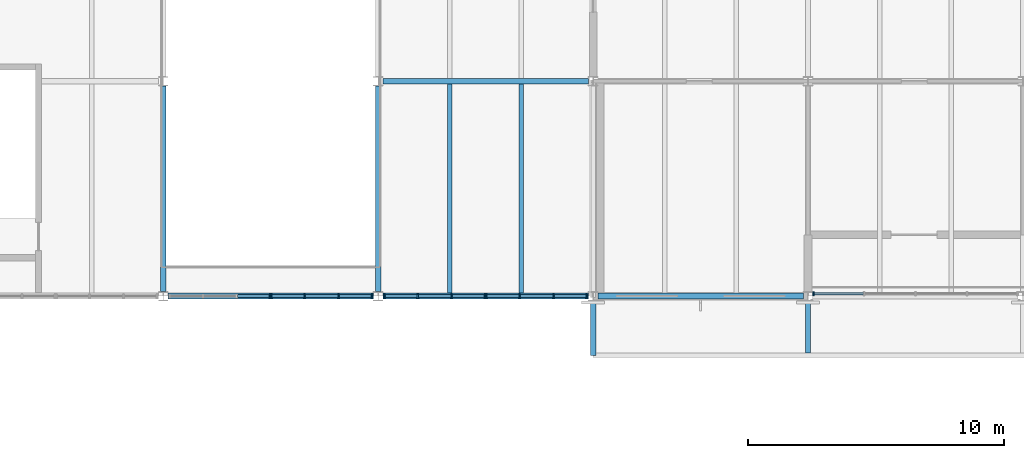
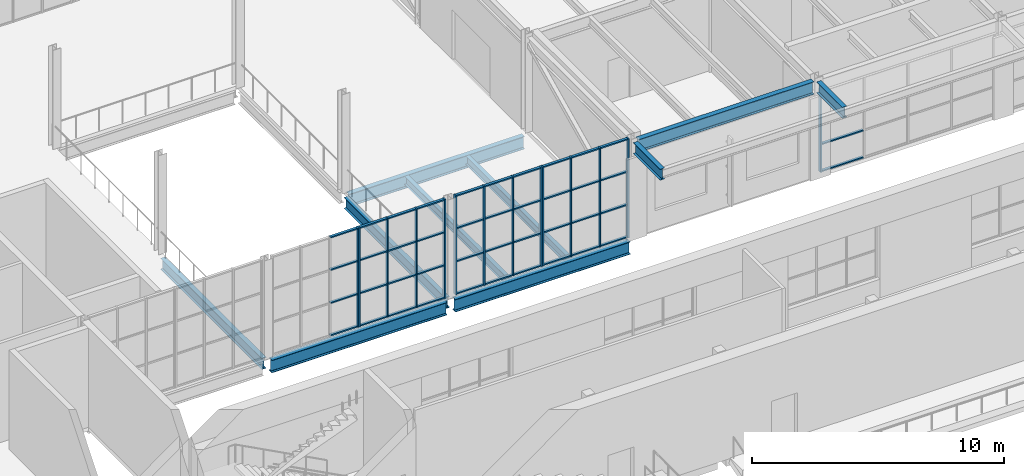
# One storey, part 41 of 116: 56 members, 10 beams, 5 elements without a shape of their own.
"""IFC4 building model written with IfcOpenShell, lengths in metres."""

from ifc_helpers import new_model, si_unit, direction, frame, origin, origin_2d, place, context, subcontext, project, spatial, rectangle, i_section, extrude, material, material_profile, profile_set, type_object, element, aggregate, save


model = new_model("IFC4")

# Units and contexts
model_context = context("Model", 3, precision=1e-05, world=origin(), true_north=direction((0.0, 1.0)))
body_context = subcontext(model_context, "Body", "Model", "MODEL_VIEW")
ifc_project = project(units=[si_unit("LENGTHUNIT", "METRE"), si_unit("AREAUNIT", "SQUARE_METRE"), si_unit("VOLUMEUNIT", "CUBIC_METRE"), si_unit("PLANEANGLEUNIT", "RADIAN"), si_unit("MASSUNIT", "GRAM", prefix="KILO")], contexts=[model_context])

# Site, building, storey
site_placement = place(None, origin())
site = spatial("IfcSite", under=ifc_project, at=site_placement, CompositionType="ELEMENT")
building_placement = place(site_placement, origin())
building = spatial("IfcBuilding", under=site, at=building_placement, Name="Ljudholm Concert House", CompositionType="ELEMENT")
storey_placement = place(building_placement, frame((0.0, 0.0, 10.199951171875)))
storey = spatial("IfcBuildingStorey", under=building, at=storey_placement, Name="L02", CompositionType="ELEMENT", Elevation=10.199951171875)

# Curtain wall, member
ifc_material_1 = material(Name="Aluminium curtain wall with fixed aluminium storm louvre blades, timber-grain finish", Category="aluminium")
curtain_wall_type_1 = type_object("IfcCurtainWallType", Name="CURTAIN WALL 2000", PredefinedType="NOTDEFINED", material=ifc_material_1)
curtain_wall_1_placement = place(storey_placement, origin())
curtain_wall_1 = element("IfcCurtainWall", 1, at=curtain_wall_1_placement, inside=storey, type_object=curtain_wall_type_1, Name="Storm louvre screen", PredefinedType="NOTDEFINED")
ifc_material_2 = material(Name="Aluminium extrusion", Category="aluminium")
ifc_material_profile_1 = material_profile(ifc_material_2, rectangle(XDim=0.159912109375, YDim=0.06005859375, at=origin_2d()), Name="MULLION 60x160")
ifc_profile_set_1 = profile_set([ifc_material_profile_1], Name="Aluminium extrusion")
member_type_1 = type_object("IfcMemberType", Name="MULLION 60x160", PredefinedType="MULLION", material=ifc_profile_set_1)
member_1_placement = place(storey_placement, frame((63.02001953125, 104.89990234375, 0.0), z_axis=(0.0, 0.0, 1.0), x_axis=(0.0, 1.0, 0.0)))
member_1 = element("IfcMember", 2, at=member_1_placement, type_object=member_type_1, Name="Mullion", PredefinedType="MULLION", context=body_context, shape_type="SweptSolid", body=[
    extrude(rectangle(XDim=0.159912109375, YDim=0.06005859375, at=origin_2d()), origin(), (0.0, 0.0, 1.0), 4.0078125),
])

ifc_material_3 = material(Name="Aluminium curtain wall with impact-rated laminated glass", Category="aluminium")
curtain_wall_type_2 = type_object("IfcCurtainWallType", Name="CURTAIN WALL 1400", PredefinedType="NOTDEFINED", material=ifc_material_3)
curtain_wall_2_placement = place(storey_placement, origin())
curtain_wall_2 = element("IfcCurtainWall", 3, at=curtain_wall_2_placement, inside=storey, type_object=curtain_wall_type_2, Name="Winter garden curtain wall", PredefinedType="NOTDEFINED")
member_2_placement = place(storey_placement, frame((41.77001953125, 104.800048828125, 0.0), z_axis=(0.0, 0.0, 1.0), x_axis=(0.0, 1.0, 0.0)))
member_2 = element("IfcMember", 4, at=member_2_placement, type_object=member_type_1, Name="Mullion", PredefinedType="MULLION", context=body_context, shape_type="SweptSolid", body=[
    extrude(rectangle(XDim=0.159912109375, YDim=0.06005859375, at=origin_2d()), origin(), (0.0, 0.0, 1.0), 4.800048828125),
])

# Curtain wall, members
curtain_wall_3_placement = place(storey_placement, origin())
curtain_wall_3 = element("IfcCurtainWall", 5, at=curtain_wall_3_placement, inside=storey, type_object=curtain_wall_type_2, Name="Winter garden curtain wall", PredefinedType="NOTDEFINED")
member_3_placement = place(storey_placement, frame((41.830078125, 104.800048828125, 0.0), z_axis=(0.0, 0.0, 1.0), x_axis=(0.0, 1.0, 0.0)))
member_3 = element("IfcMember", 6, at=member_3_placement, type_object=member_type_1, Name="Mullion", PredefinedType="MULLION", context=body_context, shape_type="SweptSolid", body=[
    extrude(rectangle(XDim=0.159912109375, YDim=0.06005859375, at=origin_2d()), origin(), (0.0, 0.0, 1.0), 4.800048828125),
])
member_4_placement = place(storey_placement, frame((43.126708984375, 104.800048828125, 0.0), z_axis=(0.0, 0.0, 1.0), x_axis=(0.0, 1.0, 0.0)))
member_4 = element("IfcMember", 7, at=member_4_placement, type_object=member_type_1, Name="Mullion", PredefinedType="MULLION", context=body_context, shape_type="SweptSolid", body=[
    extrude(rectangle(XDim=0.159912109375, YDim=0.06005859375, at=origin_2d()), origin(), (0.0, 0.0, 1.0), 4.800048828125),
])
member_5_placement = place(storey_placement, frame((44.453369140625, 104.800048828125, 0.0), z_axis=(0.0, 0.0, 1.0), x_axis=(0.0, 1.0, 0.0)))
member_5 = element("IfcMember", 8, at=member_5_placement, type_object=member_type_1, Name="Mullion", PredefinedType="MULLION", context=body_context, shape_type="SweptSolid", body=[
    extrude(rectangle(XDim=0.159912109375, YDim=0.06005859375, at=origin_2d()), origin(), (0.0, 0.0, 1.0), 4.800048828125),
])
member_6_placement = place(storey_placement, frame((45.75, 104.800048828125, 0.0), z_axis=(0.0, 0.0, 1.0), x_axis=(0.0, 1.0, 0.0)))
member_6 = element("IfcMember", 9, at=member_6_placement, type_object=member_type_1, Name="Mullion", PredefinedType="MULLION", context=body_context, shape_type="SweptSolid", body=[
    extrude(rectangle(XDim=0.159912109375, YDim=0.06005859375, at=origin_2d()), origin(), (0.0, 0.0, 1.0), 4.800048828125),
])

curtain_wall_4_placement = place(storey_placement, origin())
curtain_wall_4 = element("IfcCurtainWall", 10, at=curtain_wall_4_placement, inside=storey, type_object=curtain_wall_type_2, Name="Winter garden curtain wall", PredefinedType="NOTDEFINED")
member_7_placement = place(storey_placement, frame((46.25, 104.800048828125, 0.0), z_axis=(0.0, 0.0, 1.0), x_axis=(0.0, 1.0, 0.0)))
member_7 = element("IfcMember", 11, at=member_7_placement, type_object=member_type_1, Name="Mullion", PredefinedType="MULLION", context=body_context, shape_type="SweptSolid", body=[
    extrude(rectangle(XDim=0.159912109375, YDim=0.06005859375, at=origin_2d()), origin(), (0.0, 0.0, 1.0), 4.800048828125),
])
member_8_placement = place(storey_placement, frame((47.546630859375, 104.800048828125, 0.0), z_axis=(0.0, 0.0, 1.0), x_axis=(0.0, 1.0, 0.0)))
member_8 = element("IfcMember", 12, at=member_8_placement, type_object=member_type_1, Name="Mullion", PredefinedType="MULLION", context=body_context, shape_type="SweptSolid", body=[
    extrude(rectangle(XDim=0.159912109375, YDim=0.06005859375, at=origin_2d()), origin(), (0.0, 0.0, 1.0), 4.800048828125),
])
member_9_placement = place(storey_placement, frame((48.873291015625, 104.800048828125, 0.0), z_axis=(0.0, 0.0, 1.0), x_axis=(0.0, 1.0, 0.0)))
member_9 = element("IfcMember", 13, at=member_9_placement, type_object=member_type_1, Name="Mullion", PredefinedType="MULLION", context=body_context, shape_type="SweptSolid", body=[
    extrude(rectangle(XDim=0.159912109375, YDim=0.06005859375, at=origin_2d()), origin(), (0.0, 0.0, 1.0), 4.800048828125),
])
member_10_placement = place(storey_placement, frame((50.169921875, 104.800048828125, 0.0), z_axis=(0.0, 0.0, 1.0), x_axis=(0.0, 1.0, 0.0)))
member_10 = element("IfcMember", 14, at=member_10_placement, type_object=member_type_1, Name="Mullion", PredefinedType="MULLION", context=body_context, shape_type="SweptSolid", body=[
    extrude(rectangle(XDim=0.159912109375, YDim=0.06005859375, at=origin_2d()), origin(), (0.0, 0.0, 1.0), 4.800048828125),
])

curtain_wall_5_placement = place(storey_placement, origin())
curtain_wall_5 = element("IfcCurtainWall", 15, at=curtain_wall_5_placement, inside=storey, type_object=curtain_wall_type_2, Name="Winter garden curtain wall", PredefinedType="NOTDEFINED")
member_11_placement = place(storey_placement, frame((50.22998046875, 104.800048828125, 0.0), z_axis=(0.0, 0.0, 1.0), x_axis=(0.0, 1.0, 0.0)))
member_11 = element("IfcMember", 16, at=member_11_placement, type_object=member_type_1, Name="Mullion", PredefinedType="MULLION", context=body_context, shape_type="SweptSolid", body=[
    extrude(rectangle(XDim=0.159912109375, YDim=0.06005859375, at=origin_2d()), origin(), (0.0, 0.0, 1.0), 4.800048828125),
])
member_12_placement = place(storey_placement, frame((51.526611328125, 104.800048828125, 0.0), z_axis=(0.0, 0.0, 1.0), x_axis=(0.0, 1.0, 0.0)))
member_12 = element("IfcMember", 17, at=member_12_placement, type_object=member_type_1, Name="Mullion", PredefinedType="MULLION", context=body_context, shape_type="SweptSolid", body=[
    extrude(rectangle(XDim=0.159912109375, YDim=0.06005859375, at=origin_2d()), origin(), (0.0, 0.0, 1.0), 4.800048828125),
])
member_13_placement = place(storey_placement, frame((52.853271484375, 104.800048828125, 0.0), z_axis=(0.0, 0.0, 1.0), x_axis=(0.0, 1.0, 0.0)))
member_13 = element("IfcMember", 18, at=member_13_placement, type_object=member_type_1, Name="Mullion", PredefinedType="MULLION", context=body_context, shape_type="SweptSolid", body=[
    extrude(rectangle(XDim=0.159912109375, YDim=0.06005859375, at=origin_2d()), origin(), (0.0, 0.0, 1.0), 4.800048828125),
])
member_14_placement = place(storey_placement, frame((54.14990234375, 104.800048828125, 0.0), z_axis=(0.0, 0.0, 1.0), x_axis=(0.0, 1.0, 0.0)))
member_14 = element("IfcMember", 19, at=member_14_placement, type_object=member_type_1, Name="Mullion", PredefinedType="MULLION", context=body_context, shape_type="SweptSolid", body=[
    extrude(rectangle(XDim=0.159912109375, YDim=0.06005859375, at=origin_2d()), origin(), (0.0, 0.0, 1.0), 4.800048828125),
])

# Beams
ifc_material_4 = material(Name="Steel ASTM A992", Category="steel")
ifc_material_profile_2 = material_profile(ifc_material_4, i_section(OverallWidth=0.177734375, OverallDepth=0.406494140625, WebThickness=0.0078125, FlangeThickness=0.012939453125, FilletRadius=0.01025390625, at=origin_2d()), Name="W16X40")
ifc_profile_set_2 = profile_set([ifc_material_profile_2], Name="Steel ASTM A992")
beam_type_1 = type_object("IfcBeamType", Name="STEEL BEAM W16X40", PredefinedType="BEAM", material=ifc_profile_set_2)
for number, where, z_axis, x_axis, name in (
    (20, (48.800048828125, 104.91455078125, -0.383056640625), (0.0, 1.0, 0.0), (-1.0, 0.0, 0.0), "Secondary beam"),
    (21, (51.60009765625, 104.91455078125, -0.383056640625), (0.0, 1.0, 0.0), (-1.0, 0.0, 0.0), "Secondary beam"),
):
    element("IfcBeam", number, at=place(storey_placement, frame(where, z_axis=z_axis, x_axis=x_axis)), inside=storey, type_object=beam_type_1, Name=name, PredefinedType="BEAM", context=body_context, shape_type="SweptSolid", body=[
        extrude(i_section(OverallWidth=0.177734375, OverallDepth=0.406494140625, WebThickness=0.0078125, FlangeThickness=0.012939453125, FilletRadius=0.01025390625, at=origin_2d()), origin(), (0.0, 0.0, 1.0), 8.1708984375),
    ])
ifc_material_5 = material(Name="Steel ASTM A992", Category="steel")
ifc_material_profile_3 = material_profile(ifc_material_5, i_section(OverallWidth=0.209228515625, OverallDepth=0.533447265625, WebThickness=0.01025390625, FlangeThickness=0.015625, FilletRadius=0.012939453125, at=origin_2d()), Name="W21X62")
ifc_profile_set_3 = profile_set([ifc_material_profile_3], Name="Steel ASTM A992")
beam_type_2 = type_object("IfcBeamType", Name="STEEL BEAM W21X62", PredefinedType="BEAM", material=ifc_profile_set_3)
beam_1_placement = place(storey_placement, frame((54.39990234375, 104.622314453125, 4.353271484375), z_axis=(0.0, -1.0, 0.0), x_axis=(1.0, 0.0, 0.0)))
element("IfcBeam", 22, at=beam_1_placement, inside=storey, type_object=beam_type_2, Name="Beam STUDIO-ROOF-eave-gS-54.4", PredefinedType="BEAM", context=body_context, shape_type="SweptSolid", body=[
    extrude(i_section(OverallWidth=0.209228515625, OverallDepth=0.533447265625, WebThickness=0.01025390625, FlangeThickness=0.015625, FilletRadius=0.012939453125, at=origin_2d()), origin(), (0.0, 0.0, 1.0), 2.13330078125),
])
beam_2_placement = place(storey_placement, frame((62.800048828125, 104.622314453125, 4.353271484375), z_axis=(0.0, -1.0, 0.0), x_axis=(1.0, 0.0, 0.0)))
element("IfcBeam", 23, at=beam_2_placement, inside=storey, type_object=beam_type_2, Name="Beam STUDIO-ROOF-eave-gS-62.8", PredefinedType="BEAM", context=body_context, shape_type="SweptSolid", body=[
    extrude(i_section(OverallWidth=0.209228515625, OverallDepth=0.533447265625, WebThickness=0.01025390625, FlangeThickness=0.015625, FilletRadius=0.012939453125, at=origin_2d()), origin(), (0.0, 0.0, 1.0), 2.04443359375),
])
for number, where, z_axis, x_axis, name in (
    (24, (37.60009765625, 104.986572265625, -0.446533203125), (0.0, 1.0, 0.0), (-1.0, 0.0, 0.0), "Floor edge beam"),
    (25, (46.0, 104.986572265625, -0.446533203125), (0.0, 1.0, 0.0), (-1.0, 0.0, 0.0), "Floor edge beam"),
):
    element("IfcBeam", number, at=place(storey_placement, frame(where, z_axis=z_axis, x_axis=x_axis)), inside=storey, type_object=beam_type_2, Name=name, PredefinedType="BEAM", context=body_context, shape_type="SweptSolid", body=[
        extrude(i_section(OverallWidth=0.209228515625, OverallDepth=0.533447265625, WebThickness=0.01025390625, FlangeThickness=0.015625, FilletRadius=0.012939453125, at=origin_2d()), origin(), (0.0, 0.0, 1.0), 8.02685546875),
    ])
ifc_material_6 = material(Name="Steel ASTM A992", Category="steel")
ifc_material_profile_4 = material_profile(ifc_material_6, i_section(OverallWidth=0.22900390625, OverallDepth=0.612060546875, WebThickness=0.011962890625, FlangeThickness=0.01953125, FilletRadius=0.0126953125, at=origin_2d()), Name="W24X84")
ifc_profile_set_4 = profile_set([ifc_material_profile_4], Name="Steel ASTM A992")
beam_type_3 = type_object("IfcBeamType", Name="STEEL BEAM W24X84", PredefinedType="BEAM", material=ifc_profile_set_4)
beam_3_placement = place(storey_placement, frame((54.584228515625, 104.800048828125, 4.31396484375), z_axis=(1.0, 0.0, 0.0), x_axis=(0.0, 1.0, 0.0)))
element("IfcBeam", 26, at=beam_3_placement, inside=storey, type_object=beam_type_3, Name="Beam STUDIO-ROOF-gx-54.4-104.8", PredefinedType="BEAM", context=body_context, shape_type="SweptSolid", body=[
    extrude(i_section(OverallWidth=0.22900390625, OverallDepth=0.612060546875, WebThickness=0.011962890625, FlangeThickness=0.01953125, FilletRadius=0.0126953125, at=origin_2d()), origin(), (0.0, 0.0, 1.0), 8.03173828125),
])
for number, where, z_axis, x_axis, name in (
    (27, (37.78662109375, 104.800048828125, -0.486083984375), (1.0, 0.0, 0.0), (0.0, 1.0, 0.0), "Floor girder"),
    (28, (46.186767578125, 104.800048828125, -0.486083984375), (1.0, 0.0, 0.0), (0.0, 1.0, 0.0), "Floor girder"),
    (29, (46.186767578125, 113.199951171875, -0.486083984375), (1.0, 0.0, 0.0), (0.0, 1.0, 0.0), "Floor girder"),
):
    element("IfcBeam", number, at=place(storey_placement, frame(where, z_axis=z_axis, x_axis=x_axis)), inside=storey, type_object=beam_type_3, Name=name, PredefinedType="BEAM", context=body_context, shape_type="SweptSolid", body=[
        extrude(i_section(OverallWidth=0.22900390625, OverallDepth=0.612060546875, WebThickness=0.011962890625, FlangeThickness=0.01953125, FilletRadius=0.0126953125, at=origin_2d()), origin(), (0.0, 0.0, 1.0), 8.026611328125),
    ])

# Member
ifc_material_7 = material(Name="Aluminium extrusion", Category="aluminium")
ifc_material_profile_5 = material_profile(ifc_material_7, rectangle(XDim=0.1201171875, YDim=0.06005859375, at=origin_2d()), Name="TRANSOM 60x120")
ifc_profile_set_5 = profile_set([ifc_material_profile_5], Name="Aluminium extrusion")
member_type_2 = type_object("IfcMemberType", Name="TRANSOM 60x120", PredefinedType="USERDEFINED", material=ifc_profile_set_5)
member_15_placement = place(storey_placement, frame((63.050048828125, 104.89990234375, 0.030029296875), z_axis=(1.0, 0.0, 0.0), x_axis=(0.0, 1.0, 0.0)))
member_15 = element("IfcMember", 30, at=member_15_placement, type_object=member_type_2, Name="Transom", ObjectType="TRANSOM", PredefinedType="USERDEFINED", context=body_context, shape_type="SweptSolid", body=[
    extrude(rectangle(XDim=0.1201171875, YDim=0.06005859375, at=origin_2d()), origin(), (0.0, 0.0, 1.0), 1.9150390625),
])

member_16_placement = place(storey_placement, frame((63.050048828125, 104.89990234375, 1.3359375), z_axis=(1.0, 0.0, 0.0), x_axis=(0.0, 1.0, 0.0)))
member_16 = element("IfcMember", 31, at=member_16_placement, type_object=member_type_2, Name="Transom", ObjectType="TRANSOM", PredefinedType="USERDEFINED", context=body_context, shape_type="SweptSolid", body=[
    extrude(rectangle(XDim=0.1201171875, YDim=0.06005859375, at=origin_2d()), origin(), (0.0, 0.0, 1.0), 1.9150390625),
])

aggregate(curtain_wall_1, [member_1, member_15, member_16])

member_17_placement = place(storey_placement, frame((40.50341796875, 104.800048828125, 0.030029296875), z_axis=(1.0, 0.0, 0.0), x_axis=(0.0, 1.0, 0.0)))
member_17 = element("IfcMember", 32, at=member_17_placement, type_object=member_type_2, Name="Transom", ObjectType="TRANSOM", PredefinedType="USERDEFINED", context=body_context, shape_type="SweptSolid", body=[
    extrude(rectangle(XDim=0.1201171875, YDim=0.06005859375, at=origin_2d()), origin(), (0.0, 0.0, 1.0), 1.236572265625),
])

member_18_placement = place(storey_placement, frame((40.50341796875, 104.800048828125, 1.60009765625), z_axis=(1.0, 0.0, 0.0), x_axis=(0.0, 1.0, 0.0)))
member_18 = element("IfcMember", 33, at=member_18_placement, type_object=member_type_2, Name="Transom", ObjectType="TRANSOM", PredefinedType="USERDEFINED", context=body_context, shape_type="SweptSolid", body=[
    extrude(rectangle(XDim=0.1201171875, YDim=0.06005859375, at=origin_2d()), origin(), (0.0, 0.0, 1.0), 1.236572265625),
])

member_19_placement = place(storey_placement, frame((40.50341796875, 104.800048828125, 3.199951171875), z_axis=(1.0, 0.0, 0.0), x_axis=(0.0, 1.0, 0.0)))
member_19 = element("IfcMember", 34, at=member_19_placement, type_object=member_type_2, Name="Transom", ObjectType="TRANSOM", PredefinedType="USERDEFINED", context=body_context, shape_type="SweptSolid", body=[
    extrude(rectangle(XDim=0.1201171875, YDim=0.06005859375, at=origin_2d()), origin(), (0.0, 0.0, 1.0), 1.236572265625),
])

member_20_placement = place(storey_placement, frame((40.50341796875, 104.800048828125, 4.77001953125), z_axis=(1.0, 0.0, 0.0), x_axis=(0.0, 1.0, 0.0)))
member_20 = element("IfcMember", 35, at=member_20_placement, type_object=member_type_2, Name="Transom", ObjectType="TRANSOM", PredefinedType="USERDEFINED", context=body_context, shape_type="SweptSolid", body=[
    extrude(rectangle(XDim=0.1201171875, YDim=0.06005859375, at=origin_2d()), origin(), (0.0, 0.0, 1.0), 1.236572265625),
])

aggregate(curtain_wall_2, [member_2, member_17, member_18, member_19, member_20])

member_21_placement = place(storey_placement, frame((41.860107421875, 104.800048828125, 0.030029296875), z_axis=(1.0, 0.0, 0.0), x_axis=(0.0, 1.0, 0.0)))
member_21 = element("IfcMember", 36, at=member_21_placement, type_object=member_type_2, Name="Transom", ObjectType="TRANSOM", PredefinedType="USERDEFINED", context=body_context, shape_type="SweptSolid", body=[
    extrude(rectangle(XDim=0.1201171875, YDim=0.06005859375, at=origin_2d()), origin(), (0.0, 0.0, 1.0), 1.236572265625),
])

member_22_placement = place(storey_placement, frame((41.860107421875, 104.800048828125, 1.60009765625), z_axis=(1.0, 0.0, 0.0), x_axis=(0.0, 1.0, 0.0)))
member_22 = element("IfcMember", 37, at=member_22_placement, type_object=member_type_2, Name="Transom", ObjectType="TRANSOM", PredefinedType="USERDEFINED", context=body_context, shape_type="SweptSolid", body=[
    extrude(rectangle(XDim=0.1201171875, YDim=0.06005859375, at=origin_2d()), origin(), (0.0, 0.0, 1.0), 1.236572265625),
])

member_23_placement = place(storey_placement, frame((41.860107421875, 104.800048828125, 3.199951171875), z_axis=(1.0, 0.0, 0.0), x_axis=(0.0, 1.0, 0.0)))
member_23 = element("IfcMember", 38, at=member_23_placement, type_object=member_type_2, Name="Transom", ObjectType="TRANSOM", PredefinedType="USERDEFINED", context=body_context, shape_type="SweptSolid", body=[
    extrude(rectangle(XDim=0.1201171875, YDim=0.06005859375, at=origin_2d()), origin(), (0.0, 0.0, 1.0), 1.236572265625),
])

member_24_placement = place(storey_placement, frame((41.860107421875, 104.800048828125, 4.77001953125), z_axis=(1.0, 0.0, 0.0), x_axis=(0.0, 1.0, 0.0)))
member_24 = element("IfcMember", 39, at=member_24_placement, type_object=member_type_2, Name="Transom", ObjectType="TRANSOM", PredefinedType="USERDEFINED", context=body_context, shape_type="SweptSolid", body=[
    extrude(rectangle(XDim=0.1201171875, YDim=0.06005859375, at=origin_2d()), origin(), (0.0, 0.0, 1.0), 1.236572265625),
])

member_25_placement = place(storey_placement, frame((43.15673828125, 104.800048828125, 0.030029296875), z_axis=(1.0, 0.0, 0.0), x_axis=(0.0, 1.0, 0.0)))
member_25 = element("IfcMember", 40, at=member_25_placement, type_object=member_type_2, Name="Transom", ObjectType="TRANSOM", PredefinedType="USERDEFINED", context=body_context, shape_type="SweptSolid", body=[
    extrude(rectangle(XDim=0.1201171875, YDim=0.06005859375, at=origin_2d()), origin(), (0.0, 0.0, 1.0), 1.2666015625),
])

member_26_placement = place(storey_placement, frame((43.15673828125, 104.800048828125, 1.60009765625), z_axis=(1.0, 0.0, 0.0), x_axis=(0.0, 1.0, 0.0)))
member_26 = element("IfcMember", 41, at=member_26_placement, type_object=member_type_2, Name="Transom", ObjectType="TRANSOM", PredefinedType="USERDEFINED", context=body_context, shape_type="SweptSolid", body=[
    extrude(rectangle(XDim=0.1201171875, YDim=0.06005859375, at=origin_2d()), origin(), (0.0, 0.0, 1.0), 1.2666015625),
])

member_27_placement = place(storey_placement, frame((43.15673828125, 104.800048828125, 3.199951171875), z_axis=(1.0, 0.0, 0.0), x_axis=(0.0, 1.0, 0.0)))
member_27 = element("IfcMember", 42, at=member_27_placement, type_object=member_type_2, Name="Transom", ObjectType="TRANSOM", PredefinedType="USERDEFINED", context=body_context, shape_type="SweptSolid", body=[
    extrude(rectangle(XDim=0.1201171875, YDim=0.06005859375, at=origin_2d()), origin(), (0.0, 0.0, 1.0), 1.2666015625),
])

member_28_placement = place(storey_placement, frame((43.15673828125, 104.800048828125, 4.77001953125), z_axis=(1.0, 0.0, 0.0), x_axis=(0.0, 1.0, 0.0)))
member_28 = element("IfcMember", 43, at=member_28_placement, type_object=member_type_2, Name="Transom", ObjectType="TRANSOM", PredefinedType="USERDEFINED", context=body_context, shape_type="SweptSolid", body=[
    extrude(rectangle(XDim=0.1201171875, YDim=0.06005859375, at=origin_2d()), origin(), (0.0, 0.0, 1.0), 1.2666015625),
])

member_29_placement = place(storey_placement, frame((44.4833984375, 104.800048828125, 0.030029296875), z_axis=(1.0, 0.0, 0.0), x_axis=(0.0, 1.0, 0.0)))
member_29 = element("IfcMember", 44, at=member_29_placement, type_object=member_type_2, Name="Transom", ObjectType="TRANSOM", PredefinedType="USERDEFINED", context=body_context, shape_type="SweptSolid", body=[
    extrude(rectangle(XDim=0.1201171875, YDim=0.06005859375, at=origin_2d()), origin(), (0.0, 0.0, 1.0), 1.236572265625),
])

member_30_placement = place(storey_placement, frame((44.4833984375, 104.800048828125, 1.60009765625), z_axis=(1.0, 0.0, 0.0), x_axis=(0.0, 1.0, 0.0)))
member_30 = element("IfcMember", 45, at=member_30_placement, type_object=member_type_2, Name="Transom", ObjectType="TRANSOM", PredefinedType="USERDEFINED", context=body_context, shape_type="SweptSolid", body=[
    extrude(rectangle(XDim=0.1201171875, YDim=0.06005859375, at=origin_2d()), origin(), (0.0, 0.0, 1.0), 1.236572265625),
])

member_31_placement = place(storey_placement, frame((44.4833984375, 104.800048828125, 3.199951171875), z_axis=(1.0, 0.0, 0.0), x_axis=(0.0, 1.0, 0.0)))
member_31 = element("IfcMember", 46, at=member_31_placement, type_object=member_type_2, Name="Transom", ObjectType="TRANSOM", PredefinedType="USERDEFINED", context=body_context, shape_type="SweptSolid", body=[
    extrude(rectangle(XDim=0.1201171875, YDim=0.06005859375, at=origin_2d()), origin(), (0.0, 0.0, 1.0), 1.236572265625),
])

member_32_placement = place(storey_placement, frame((44.4833984375, 104.800048828125, 4.77001953125), z_axis=(1.0, 0.0, 0.0), x_axis=(0.0, 1.0, 0.0)))
member_32 = element("IfcMember", 47, at=member_32_placement, type_object=member_type_2, Name="Transom", ObjectType="TRANSOM", PredefinedType="USERDEFINED", context=body_context, shape_type="SweptSolid", body=[
    extrude(rectangle(XDim=0.1201171875, YDim=0.06005859375, at=origin_2d()), origin(), (0.0, 0.0, 1.0), 1.236572265625),
])

aggregate(curtain_wall_3, [member_3, member_4, member_5, member_6, member_21, member_22, member_23, member_24, member_25, member_26, member_27, member_28, member_29, member_30, member_31, member_32])

member_33_placement = place(storey_placement, frame((46.280029296875, 104.800048828125, 0.030029296875), z_axis=(1.0, 0.0, 0.0), x_axis=(0.0, 1.0, 0.0)))
member_33 = element("IfcMember", 48, at=member_33_placement, type_object=member_type_2, Name="Transom", ObjectType="TRANSOM", PredefinedType="USERDEFINED", context=body_context, shape_type="SweptSolid", body=[
    extrude(rectangle(XDim=0.1201171875, YDim=0.06005859375, at=origin_2d()), origin(), (0.0, 0.0, 1.0), 1.236572265625),
])

member_34_placement = place(storey_placement, frame((46.280029296875, 104.800048828125, 1.60009765625), z_axis=(1.0, 0.0, 0.0), x_axis=(0.0, 1.0, 0.0)))
member_34 = element("IfcMember", 49, at=member_34_placement, type_object=member_type_2, Name="Transom", ObjectType="TRANSOM", PredefinedType="USERDEFINED", context=body_context, shape_type="SweptSolid", body=[
    extrude(rectangle(XDim=0.1201171875, YDim=0.06005859375, at=origin_2d()), origin(), (0.0, 0.0, 1.0), 1.236572265625),
])

member_35_placement = place(storey_placement, frame((46.280029296875, 104.800048828125, 3.199951171875), z_axis=(1.0, 0.0, 0.0), x_axis=(0.0, 1.0, 0.0)))
member_35 = element("IfcMember", 50, at=member_35_placement, type_object=member_type_2, Name="Transom", ObjectType="TRANSOM", PredefinedType="USERDEFINED", context=body_context, shape_type="SweptSolid", body=[
    extrude(rectangle(XDim=0.1201171875, YDim=0.06005859375, at=origin_2d()), origin(), (0.0, 0.0, 1.0), 1.236572265625),
])

member_36_placement = place(storey_placement, frame((46.280029296875, 104.800048828125, 4.77001953125), z_axis=(1.0, 0.0, 0.0), x_axis=(0.0, 1.0, 0.0)))
member_36 = element("IfcMember", 51, at=member_36_placement, type_object=member_type_2, Name="Transom", ObjectType="TRANSOM", PredefinedType="USERDEFINED", context=body_context, shape_type="SweptSolid", body=[
    extrude(rectangle(XDim=0.1201171875, YDim=0.06005859375, at=origin_2d()), origin(), (0.0, 0.0, 1.0), 1.236572265625),
])

member_37_placement = place(storey_placement, frame((47.57666015625, 104.800048828125, 0.030029296875), z_axis=(1.0, 0.0, 0.0), x_axis=(0.0, 1.0, 0.0)))
member_37 = element("IfcMember", 52, at=member_37_placement, type_object=member_type_2, Name="Transom", ObjectType="TRANSOM", PredefinedType="USERDEFINED", context=body_context, shape_type="SweptSolid", body=[
    extrude(rectangle(XDim=0.1201171875, YDim=0.06005859375, at=origin_2d()), origin(), (0.0, 0.0, 1.0), 1.2666015625),
])

member_38_placement = place(storey_placement, frame((47.57666015625, 104.800048828125, 1.60009765625), z_axis=(1.0, 0.0, 0.0), x_axis=(0.0, 1.0, 0.0)))
member_38 = element("IfcMember", 53, at=member_38_placement, type_object=member_type_2, Name="Transom", ObjectType="TRANSOM", PredefinedType="USERDEFINED", context=body_context, shape_type="SweptSolid", body=[
    extrude(rectangle(XDim=0.1201171875, YDim=0.06005859375, at=origin_2d()), origin(), (0.0, 0.0, 1.0), 1.2666015625),
])

member_39_placement = place(storey_placement, frame((47.57666015625, 104.800048828125, 3.199951171875), z_axis=(1.0, 0.0, 0.0), x_axis=(0.0, 1.0, 0.0)))
member_39 = element("IfcMember", 54, at=member_39_placement, type_object=member_type_2, Name="Transom", ObjectType="TRANSOM", PredefinedType="USERDEFINED", context=body_context, shape_type="SweptSolid", body=[
    extrude(rectangle(XDim=0.1201171875, YDim=0.06005859375, at=origin_2d()), origin(), (0.0, 0.0, 1.0), 1.2666015625),
])

member_40_placement = place(storey_placement, frame((47.57666015625, 104.800048828125, 4.77001953125), z_axis=(1.0, 0.0, 0.0), x_axis=(0.0, 1.0, 0.0)))
member_40 = element("IfcMember", 55, at=member_40_placement, type_object=member_type_2, Name="Transom", ObjectType="TRANSOM", PredefinedType="USERDEFINED", context=body_context, shape_type="SweptSolid", body=[
    extrude(rectangle(XDim=0.1201171875, YDim=0.06005859375, at=origin_2d()), origin(), (0.0, 0.0, 1.0), 1.2666015625),
])

member_41_placement = place(storey_placement, frame((48.9033203125, 104.800048828125, 0.030029296875), z_axis=(1.0, 0.0, 0.0), x_axis=(0.0, 1.0, 0.0)))
member_41 = element("IfcMember", 56, at=member_41_placement, type_object=member_type_2, Name="Transom", ObjectType="TRANSOM", PredefinedType="USERDEFINED", context=body_context, shape_type="SweptSolid", body=[
    extrude(rectangle(XDim=0.1201171875, YDim=0.06005859375, at=origin_2d()), origin(), (0.0, 0.0, 1.0), 1.236572265625),
])

member_42_placement = place(storey_placement, frame((48.9033203125, 104.800048828125, 1.60009765625), z_axis=(1.0, 0.0, 0.0), x_axis=(0.0, 1.0, 0.0)))
member_42 = element("IfcMember", 57, at=member_42_placement, type_object=member_type_2, Name="Transom", ObjectType="TRANSOM", PredefinedType="USERDEFINED", context=body_context, shape_type="SweptSolid", body=[
    extrude(rectangle(XDim=0.1201171875, YDim=0.06005859375, at=origin_2d()), origin(), (0.0, 0.0, 1.0), 1.236572265625),
])

member_43_placement = place(storey_placement, frame((48.9033203125, 104.800048828125, 3.199951171875), z_axis=(1.0, 0.0, 0.0), x_axis=(0.0, 1.0, 0.0)))
member_43 = element("IfcMember", 58, at=member_43_placement, type_object=member_type_2, Name="Transom", ObjectType="TRANSOM", PredefinedType="USERDEFINED", context=body_context, shape_type="SweptSolid", body=[
    extrude(rectangle(XDim=0.1201171875, YDim=0.06005859375, at=origin_2d()), origin(), (0.0, 0.0, 1.0), 1.236572265625),
])

member_44_placement = place(storey_placement, frame((48.9033203125, 104.800048828125, 4.77001953125), z_axis=(1.0, 0.0, 0.0), x_axis=(0.0, 1.0, 0.0)))
member_44 = element("IfcMember", 59, at=member_44_placement, type_object=member_type_2, Name="Transom", ObjectType="TRANSOM", PredefinedType="USERDEFINED", context=body_context, shape_type="SweptSolid", body=[
    extrude(rectangle(XDim=0.1201171875, YDim=0.06005859375, at=origin_2d()), origin(), (0.0, 0.0, 1.0), 1.236572265625),
])

aggregate(curtain_wall_4, [member_7, member_8, member_9, member_10, member_33, member_34, member_35, member_36, member_37, member_38, member_39, member_40, member_41, member_42, member_43, member_44])

member_45_placement = place(storey_placement, frame((50.260009765625, 104.800048828125, 0.030029296875), z_axis=(1.0, 0.0, 0.0), x_axis=(0.0, 1.0, 0.0)))
member_45 = element("IfcMember", 60, at=member_45_placement, type_object=member_type_2, Name="Transom", ObjectType="TRANSOM", PredefinedType="USERDEFINED", context=body_context, shape_type="SweptSolid", body=[
    extrude(rectangle(XDim=0.1201171875, YDim=0.06005859375, at=origin_2d()), origin(), (0.0, 0.0, 1.0), 1.236572265625),
])

member_46_placement = place(storey_placement, frame((50.260009765625, 104.800048828125, 1.60009765625), z_axis=(1.0, 0.0, 0.0), x_axis=(0.0, 1.0, 0.0)))
member_46 = element("IfcMember", 61, at=member_46_placement, type_object=member_type_2, Name="Transom", ObjectType="TRANSOM", PredefinedType="USERDEFINED", context=body_context, shape_type="SweptSolid", body=[
    extrude(rectangle(XDim=0.1201171875, YDim=0.06005859375, at=origin_2d()), origin(), (0.0, 0.0, 1.0), 1.236572265625),
])

member_47_placement = place(storey_placement, frame((50.260009765625, 104.800048828125, 3.199951171875), z_axis=(1.0, 0.0, 0.0), x_axis=(0.0, 1.0, 0.0)))
member_47 = element("IfcMember", 62, at=member_47_placement, type_object=member_type_2, Name="Transom", ObjectType="TRANSOM", PredefinedType="USERDEFINED", context=body_context, shape_type="SweptSolid", body=[
    extrude(rectangle(XDim=0.1201171875, YDim=0.06005859375, at=origin_2d()), origin(), (0.0, 0.0, 1.0), 1.236572265625),
])

member_48_placement = place(storey_placement, frame((50.260009765625, 104.800048828125, 4.77001953125), z_axis=(1.0, 0.0, 0.0), x_axis=(0.0, 1.0, 0.0)))
member_48 = element("IfcMember", 63, at=member_48_placement, type_object=member_type_2, Name="Transom", ObjectType="TRANSOM", PredefinedType="USERDEFINED", context=body_context, shape_type="SweptSolid", body=[
    extrude(rectangle(XDim=0.1201171875, YDim=0.06005859375, at=origin_2d()), origin(), (0.0, 0.0, 1.0), 1.236572265625),
])

member_49_placement = place(storey_placement, frame((51.556640625, 104.800048828125, 0.030029296875), z_axis=(1.0, 0.0, 0.0), x_axis=(0.0, 1.0, 0.0)))
member_49 = element("IfcMember", 64, at=member_49_placement, type_object=member_type_2, Name="Transom", ObjectType="TRANSOM", PredefinedType="USERDEFINED", context=body_context, shape_type="SweptSolid", body=[
    extrude(rectangle(XDim=0.1201171875, YDim=0.06005859375, at=origin_2d()), origin(), (0.0, 0.0, 1.0), 1.2666015625),
])

member_50_placement = place(storey_placement, frame((51.556640625, 104.800048828125, 1.60009765625), z_axis=(1.0, 0.0, 0.0), x_axis=(0.0, 1.0, 0.0)))
member_50 = element("IfcMember", 65, at=member_50_placement, type_object=member_type_2, Name="Transom", ObjectType="TRANSOM", PredefinedType="USERDEFINED", context=body_context, shape_type="SweptSolid", body=[
    extrude(rectangle(XDim=0.1201171875, YDim=0.06005859375, at=origin_2d()), origin(), (0.0, 0.0, 1.0), 1.2666015625),
])

member_51_placement = place(storey_placement, frame((51.556640625, 104.800048828125, 3.199951171875), z_axis=(1.0, 0.0, 0.0), x_axis=(0.0, 1.0, 0.0)))
member_51 = element("IfcMember", 66, at=member_51_placement, type_object=member_type_2, Name="Transom", ObjectType="TRANSOM", PredefinedType="USERDEFINED", context=body_context, shape_type="SweptSolid", body=[
    extrude(rectangle(XDim=0.1201171875, YDim=0.06005859375, at=origin_2d()), origin(), (0.0, 0.0, 1.0), 1.2666015625),
])

member_52_placement = place(storey_placement, frame((51.556640625, 104.800048828125, 4.77001953125), z_axis=(1.0, 0.0, 0.0), x_axis=(0.0, 1.0, 0.0)))
member_52 = element("IfcMember", 67, at=member_52_placement, type_object=member_type_2, Name="Transom", ObjectType="TRANSOM", PredefinedType="USERDEFINED", context=body_context, shape_type="SweptSolid", body=[
    extrude(rectangle(XDim=0.1201171875, YDim=0.06005859375, at=origin_2d()), origin(), (0.0, 0.0, 1.0), 1.2666015625),
])

member_53_placement = place(storey_placement, frame((52.88330078125, 104.800048828125, 0.030029296875), z_axis=(1.0, 0.0, 0.0), x_axis=(0.0, 1.0, 0.0)))
member_53 = element("IfcMember", 68, at=member_53_placement, type_object=member_type_2, Name="Transom", ObjectType="TRANSOM", PredefinedType="USERDEFINED", context=body_context, shape_type="SweptSolid", body=[
    extrude(rectangle(XDim=0.1201171875, YDim=0.06005859375, at=origin_2d()), origin(), (0.0, 0.0, 1.0), 1.23681640625),
])

member_54_placement = place(storey_placement, frame((52.88330078125, 104.800048828125, 1.60009765625), z_axis=(1.0, 0.0, 0.0), x_axis=(0.0, 1.0, 0.0)))
member_54 = element("IfcMember", 69, at=member_54_placement, type_object=member_type_2, Name="Transom", ObjectType="TRANSOM", PredefinedType="USERDEFINED", context=body_context, shape_type="SweptSolid", body=[
    extrude(rectangle(XDim=0.1201171875, YDim=0.06005859375, at=origin_2d()), origin(), (0.0, 0.0, 1.0), 1.23681640625),
])

member_55_placement = place(storey_placement, frame((52.88330078125, 104.800048828125, 3.199951171875), z_axis=(1.0, 0.0, 0.0), x_axis=(0.0, 1.0, 0.0)))
member_55 = element("IfcMember", 70, at=member_55_placement, type_object=member_type_2, Name="Transom", ObjectType="TRANSOM", PredefinedType="USERDEFINED", context=body_context, shape_type="SweptSolid", body=[
    extrude(rectangle(XDim=0.1201171875, YDim=0.06005859375, at=origin_2d()), origin(), (0.0, 0.0, 1.0), 1.23681640625),
])

member_56_placement = place(storey_placement, frame((52.88330078125, 104.800048828125, 4.77001953125), z_axis=(1.0, 0.0, 0.0), x_axis=(0.0, 1.0, 0.0)))
member_56 = element("IfcMember", 71, at=member_56_placement, type_object=member_type_2, Name="Transom", ObjectType="TRANSOM", PredefinedType="USERDEFINED", context=body_context, shape_type="SweptSolid", body=[
    extrude(rectangle(XDim=0.1201171875, YDim=0.06005859375, at=origin_2d()), origin(), (0.0, 0.0, 1.0), 1.23681640625),
])

aggregate(curtain_wall_5, [member_11, member_12, member_13, member_14, member_45, member_46, member_47, member_48, member_49, member_50, member_51, member_52, member_53, member_54, member_55, member_56])

save(model, "model.ifc")
